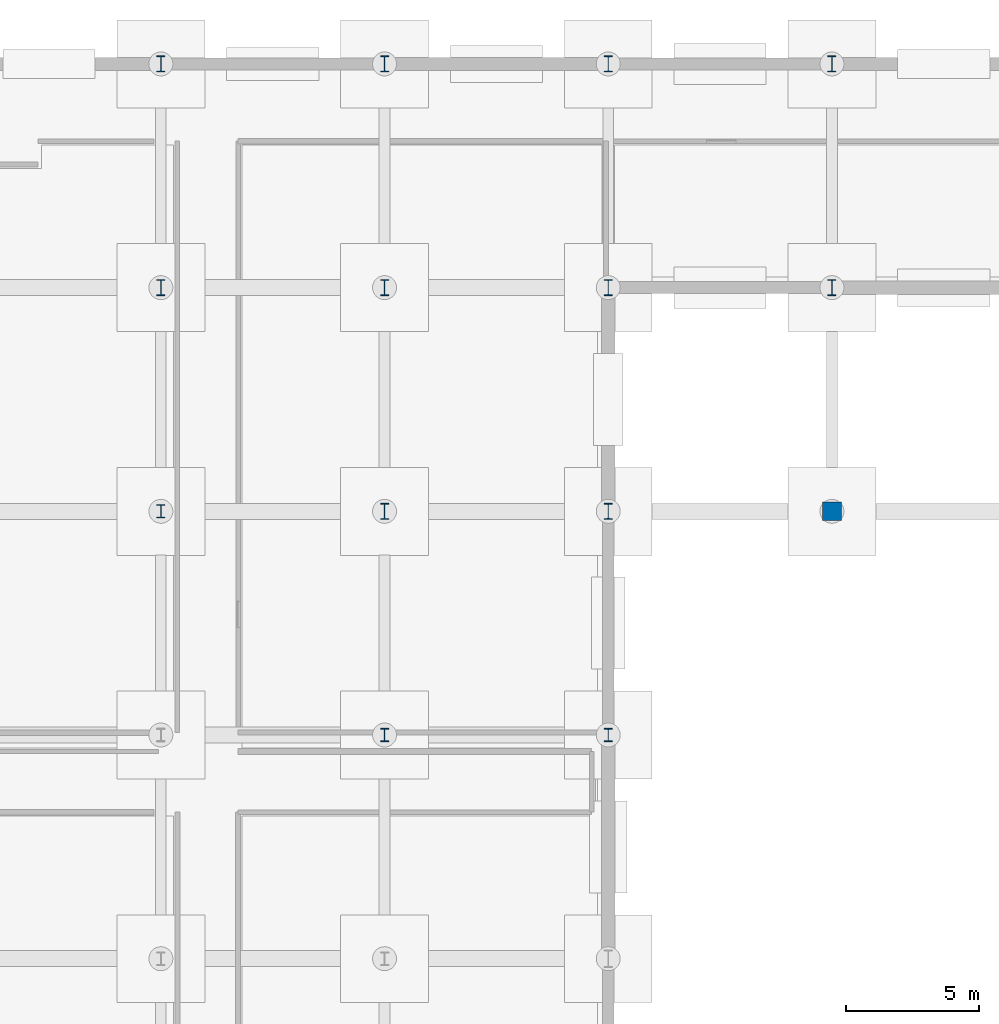
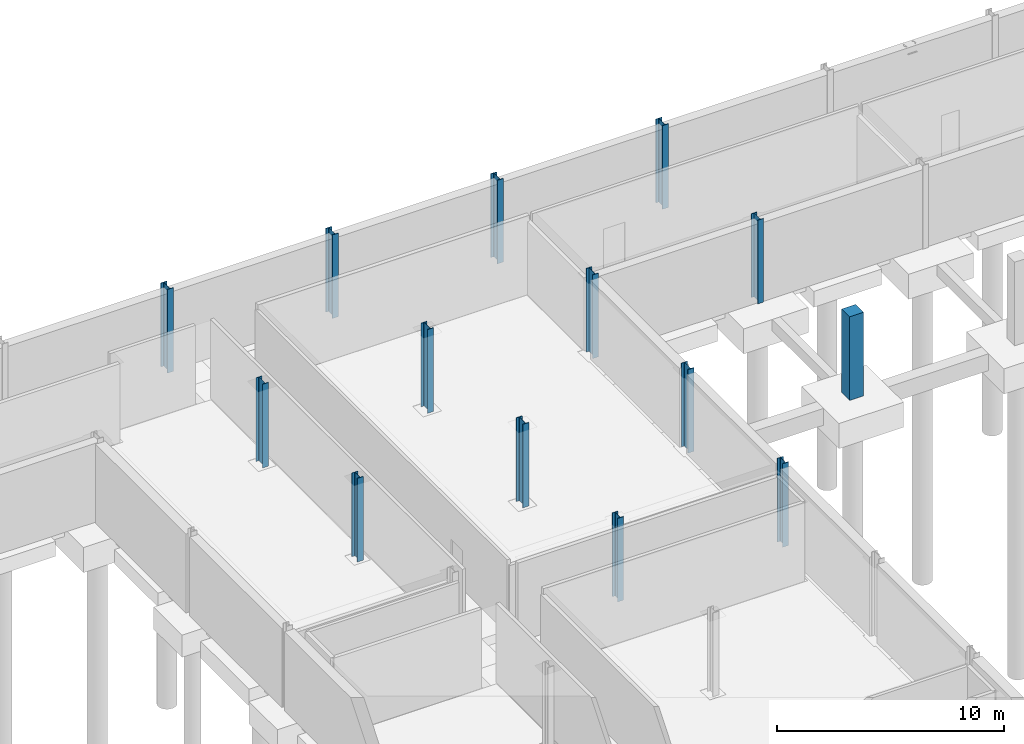
# One storey, part 19 of 43: 14 columns.
"""IFC4 building model written with IfcOpenShell, lengths in metres."""

from ifc_helpers import new_model, si_unit, direction, frame, origin, origin_2d, place, context, subcontext, project, spatial, rectangle, i_section, extrude, material, material_profile, profile_set, type_object, element, save


model = new_model("IFC4")

# Units and contexts
model_context = context("Model", 3, precision=1e-05, world=origin(), true_north=direction((0.0, 1.0)))
body_context = subcontext(model_context, "Body", "Model", "MODEL_VIEW")
ifc_project = project(units=[si_unit("LENGTHUNIT", "METRE"), si_unit("AREAUNIT", "SQUARE_METRE"), si_unit("VOLUMEUNIT", "CUBIC_METRE"), si_unit("PLANEANGLEUNIT", "RADIAN"), si_unit("MASSUNIT", "GRAM", prefix="KILO")], contexts=[model_context])

# Site, building, storey
site_placement = place(None, origin())
site = spatial("IfcSite", under=ifc_project, at=site_placement, CompositionType="ELEMENT")
building_placement = place(site_placement, origin())
building = spatial("IfcBuilding", under=site, at=building_placement, Name="Mersafa Astral City Hall", CompositionType="ELEMENT")
storey_placement = place(building_placement, frame((0.0, 0.0, -4.5)))
storey = spatial("IfcBuildingStorey", under=building, at=storey_placement, Name="B1", CompositionType="ELEMENT", Elevation=-4.5)

# Columns
ifc_material_1 = material(Name="Steel S355", Category="steel")
ifc_material_profile_1 = material_profile(ifc_material_1, i_section(OverallWidth=0.300048828125, OverallDepth=0.5, WebThickness=0.014404296875, FlangeThickness=0.028076171875, FilletRadius=0.027099609375, at=origin_2d()), Name="HEB 500")
ifc_profile_set_1 = profile_set([ifc_material_profile_1], Name="Steel S355")
column_type_1 = type_object("IfcColumnType", Name="STR-COL-HEB500", PredefinedType="COLUMN", material=ifc_profile_set_1)
for number, where, z_axis, x_axis, name in (
    (1, (100.800048828125, 109.199951171875, 0.0), (0.0, 0.0, 1.0), (1.0, 0.0, 0.0), "B1 Structural column G-12-13"),
    (2, (109.199951171875, 100.800048828125, 0.0), (0.0, 0.0, 1.0), (1.0, 0.0, 0.0), "B1 Structural column G-13-12"),
    (3, (117.60009765625, 100.800048828125, 0.0), (0.0, 0.0, 1.0), (1.0, 0.0, 0.0), "B1 Structural column G-14-12"),
):
    element("IfcColumn", number, at=place(storey_placement, frame(where, z_axis=z_axis, x_axis=x_axis)), inside=storey, type_object=column_type_1, Name=name, PredefinedType="COLUMN", context=body_context, shape_type="SweptSolid", body=[
        extrude(i_section(OverallWidth=0.300048828125, OverallDepth=0.5, WebThickness=0.014404296875, FlangeThickness=0.028076171875, FilletRadius=0.027099609375, at=origin_2d()), origin(), (0.0, 0.0, 1.0), 4.5),
    ])
ifc_material_profile_2 = material_profile(ifc_material_1, i_section(OverallWidth=0.300048828125, OverallDepth=0.60009765625, WebThickness=0.015380859375, FlangeThickness=0.030029296875, FilletRadius=0.027099609375, at=origin_2d()), Name="HEB 600")
ifc_profile_set_2 = profile_set([ifc_material_profile_2], Name="Steel S355")
column_type_2 = type_object("IfcColumnType", Name="STR-COL-HEB600", PredefinedType="COLUMN", material=ifc_profile_set_2)
for number, where, z_axis, x_axis, name in (
    (4, (100.800048828125, 117.60009765625, 0.0), (0.0, 0.0, 1.0), (1.0, 0.0, 0.0), "B1 Structural column G-12-14"),
    (5, (100.800048828125, 126.0, 0.0), (0.0, 0.0, 1.0), (1.0, 0.0, 0.0), "B1 Structural column G-12-15"),
    (6, (109.199951171875, 109.199951171875, 0.0), (0.0, 0.0, 1.0), (1.0, 0.0, 0.0), "B1 Structural column G-13-13"),
    (7, (109.199951171875, 117.60009765625, 0.0), (0.0, 0.0, 1.0), (1.0, 0.0, 0.0), "B1 Structural column G-13-14"),
    (8, (109.199951171875, 126.0, 0.0), (0.0, 0.0, 1.0), (1.0, 0.0, 0.0), "B1 Structural column G-13-15"),
    (9, (117.60009765625, 109.199951171875, 0.0), (0.0, 0.0, 1.0), (1.0, 0.0, 0.0), "B1 Structural column G-14-13"),
    (10, (117.60009765625, 117.60009765625, 0.0), (0.0, 0.0, 1.0), (1.0, 0.0, 0.0), "B1 Structural column G-14-14"),
    (11, (117.60009765625, 126.0, 0.0), (0.0, 0.0, 1.0), (1.0, 0.0, 0.0), "B1 Structural column G-14-15"),
    (12, (126.0, 117.60009765625, 0.0), (0.0, 0.0, 1.0), (1.0, 0.0, 0.0), "B1 Structural column G-15-14"),
    (13, (126.0, 126.0, 0.0), (0.0, 0.0, 1.0), (1.0, 0.0, 0.0), "B1 Structural column G-15-15"),
):
    element("IfcColumn", number, at=place(storey_placement, frame(where, z_axis=z_axis, x_axis=x_axis)), inside=storey, type_object=column_type_2, Name=name, PredefinedType="COLUMN", context=body_context, shape_type="SweptSolid", body=[
        extrude(i_section(OverallWidth=0.300048828125, OverallDepth=0.60009765625, WebThickness=0.015380859375, FlangeThickness=0.030029296875, FilletRadius=0.027099609375, at=origin_2d()), origin(), (0.0, 0.0, 1.0), 4.5),
    ])
ifc_material_2 = material(Name="Concrete C40/50", Category="concrete")
ifc_material_profile_3 = material_profile(ifc_material_2, rectangle(XDim=0.699951171875, YDim=0.699951171875, at=origin_2d()), Name="RC 700x700")
ifc_profile_set_3 = profile_set([ifc_material_profile_3], Name="Concrete C40/50")
column_type_3 = type_object("IfcColumnType", Name="STR-COL-RC700", PredefinedType="COLUMN", material=ifc_profile_set_3)
column_placement = place(storey_placement, frame((126.0, 109.199951171875, 0.0), z_axis=(0.0, 0.0, 1.0), x_axis=(1.0, 0.0, 0.0)))
element("IfcColumn", 14, at=column_placement, inside=storey, type_object=column_type_3, Name="B1 Structural column G-15-13", PredefinedType="COLUMN", context=body_context, shape_type="SweptSolid", body=[
    extrude(rectangle(XDim=0.699951171875, YDim=0.699951171875, at=origin_2d()), origin(), (0.0, 0.0, 1.0), 4.5),
])

save(model, "model.ifc")
